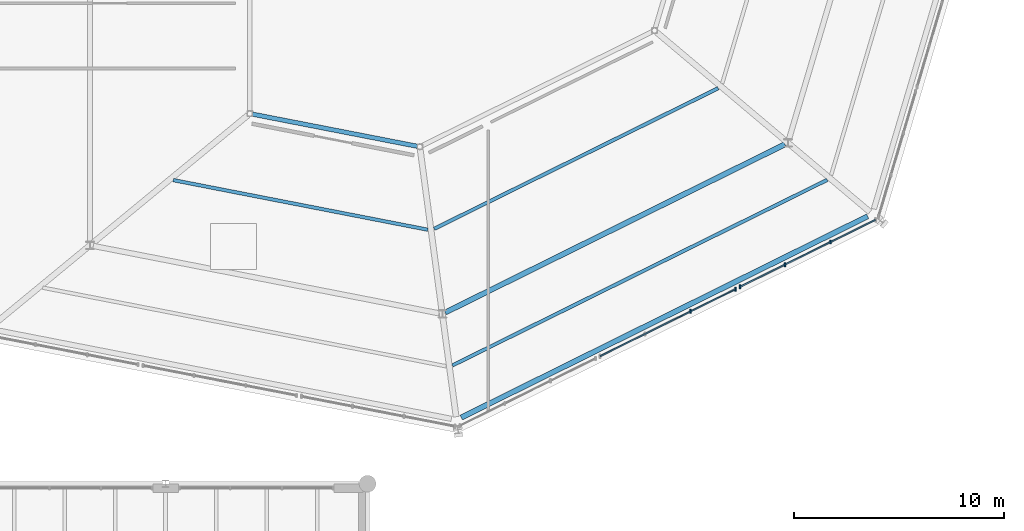
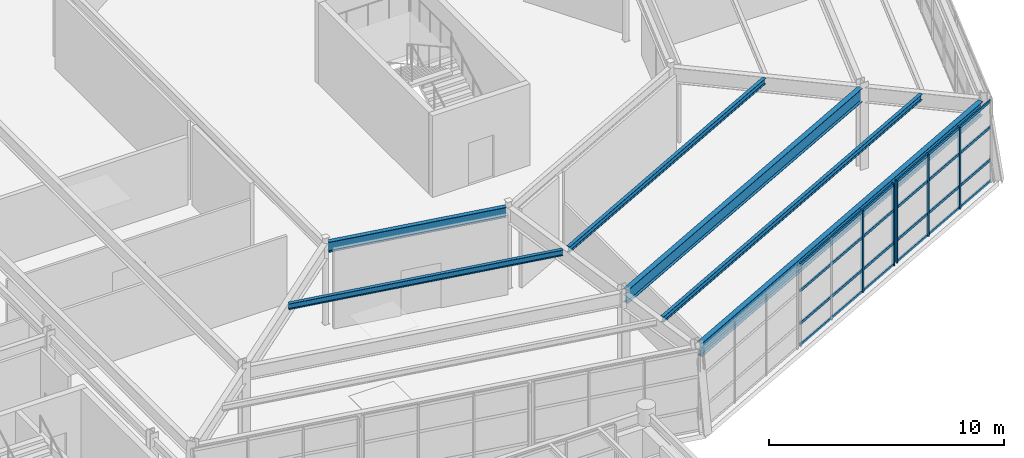
# One storey, part 44 of 88: 13 members, 6 beams, 2 elements without a shape of their own.
"""IFC4 building model written with IfcOpenShell, lengths in metres."""

from ifc_helpers import new_model, si_unit, direction, frame, origin, origin_2d, place, context, subcontext, project, spatial, rectangle, i_section, extrude, material, material_profile, profile_set, type_object, element, aggregate, save


model = new_model("IFC4")

# Units and contexts
model_context = context("Model", 3, precision=1e-05, world=origin(), true_north=direction((0.0, 1.0)))
body_context = subcontext(model_context, "Body", "Model", "MODEL_VIEW")
ifc_project = project(units=[si_unit("LENGTHUNIT", "METRE"), si_unit("AREAUNIT", "SQUARE_METRE"), si_unit("VOLUMEUNIT", "CUBIC_METRE"), si_unit("PLANEANGLEUNIT", "RADIAN"), si_unit("MASSUNIT", "GRAM", prefix="KILO")], contexts=[model_context])

# Site, building, storey
site_placement = place(None, origin())
site = spatial("IfcSite", under=ifc_project, at=site_placement, CompositionType="ELEMENT")
building_placement = place(site_placement, origin())
building = spatial("IfcBuilding", under=site, at=building_placement, Name="Sarnbrook Museum", CompositionType="ELEMENT")
storey_placement = place(building_placement, frame((0.0, 0.0, 10.10009765625)))
storey = spatial("IfcBuildingStorey", under=building, at=storey_placement, Name="L02", CompositionType="ELEMENT", Elevation=10.10009765625)

# Beams
ifc_material_1 = material(Name="Structural Steel Grade 300PLUS (AS/NZS 3679.1, fy = 280 MPa for 17 < t <= 40 mm, 300 MPa for t <= 17 mm)", Category="steel")
ifc_material_profile_1 = material_profile(ifc_material_1, i_section(OverallWidth=0.208984375, OverallDepth=0.532958984375, WebThickness=0.01025390625, FlangeThickness=0.015625, FilletRadius=0.013916015625, at=origin_2d()), Name="530UB92.4")
ifc_profile_set_1 = profile_set([ifc_material_profile_1], Name="Structural Steel Grade 300PLUS (AS/NZS 3679.1, fy = 280 MPa for 17 < t <= 40 mm, 300 MPa for t <= 17 mm)")
beam_type_1 = type_object("IfcBeamType", Name="BM-UB530", PredefinedType="BEAM", material=ifc_profile_set_1)
beam_1_placement = place(storey_placement, frame((132.917724609375, 74.382080078125, 3.973388671875), z_axis=(0.981531426605, -0.191300963369, 0.0), x_axis=(0.191300963369, 0.981531426605, 0.0)))
element("IfcBeam", 1, at=beam_1_placement, inside=storey, type_object=beam_type_1, Name="Crystal Hall R2 Ring Girder 1 L02", PredefinedType="BEAM", context=body_context, shape_type="SweptSolid", body=[
    extrude(i_section(OverallWidth=0.208984375, OverallDepth=0.532958984375, WebThickness=0.01025390625, FlangeThickness=0.015625, FilletRadius=0.013916015625, at=origin_2d()), origin(), (0.0, 0.0, 1.0), 7.999267578125),
])
ifc_material_2 = material(Name="Structural Steel Grade 350L0 (AS/NZS 3678, fy = 340 MPa for 20 < t <= 40 mm)", Category="steel")
ifc_material_profile_2 = material_profile(ifc_material_2, i_section(OverallWidth=0.25, OverallDepth=0.699951171875, WebThickness=0.010009765625, FlangeThickness=0.01611328125, at=origin_2d()), Name="700WB130")
ifc_profile_set_2 = profile_set([ifc_material_profile_2], Name="Structural Steel Grade 350L0 (AS/NZS 3678, fy = 340 MPa for 20 < t <= 40 mm)")
beam_type_2 = type_object("IfcBeamType", Name="BM-WB700", PredefinedType="BEAM", material=ifc_profile_set_2)
beam_2_placement = place(storey_placement, frame((142.857421875, 59.95068359375, 3.889892578125), z_axis=(0.896161236862, 0.443728562914, 0.0), x_axis=(-0.443728562914, 0.896161236862, 0.0)))
element("IfcBeam", 2, at=beam_2_placement, inside=storey, type_object=beam_type_2, Name="Crystal Hall Perimeter Ring Girder 2 L02", PredefinedType="BEAM", context=body_context, shape_type="SweptSolid", body=[
    extrude(i_section(OverallWidth=0.25, OverallDepth=0.699951171875, WebThickness=0.010009765625, FlangeThickness=0.01611328125, at=origin_2d()), origin(), (0.0, 0.0, 1.0), 21.569580078125),
])
beam_3_placement = place(storey_placement, frame((142.099609375, 64.948486328125, 3.889892578125), z_axis=(0.8961652972, 0.443720362497, 0.0), x_axis=(-0.443720362497, 0.8961652972, 0.0)))
element("IfcBeam", 3, at=beam_3_placement, inside=storey, type_object=beam_type_2, Name="Crystal Hall R1 Ring Girder 2 L02", PredefinedType="BEAM", context=body_context, shape_type="SweptSolid", body=[
    extrude(i_section(OverallWidth=0.25, OverallDepth=0.699951171875, WebThickness=0.010009765625, FlangeThickness=0.01611328125, at=origin_2d()), origin(), (0.0, 0.0, 1.0), 18.021240234375),
])

# Curtain wall, members
ifc_material_3 = material(Name="Thermally Broken Anodised Aluminium 6063-T6", Category="aluminium")
curtain_wall_type = type_object("IfcCurtainWallType", Name="CurtainWall_CrystalFacet", PredefinedType="NOTDEFINED", material=ifc_material_3)
curtain_wall_1_placement = place(storey_placement, origin())
curtain_wall_1 = element("IfcCurtainWall", 4, at=curtain_wall_1_placement, inside=storey, type_object=curtain_wall_type, Name="Crystal Hall Facet Curtain Wall L02-F2.2", PredefinedType="NOTDEFINED")
ifc_material_profile_3 = material_profile(ifc_material_3, rectangle(XDim=0.06494140625, YDim=0.179931640625, at=origin_2d()), Name="ALU MULLION 65x180")
ifc_profile_set_3 = profile_set([ifc_material_profile_3], Name="Thermally Broken Anodised Aluminium 6063-T6")
member_type_1 = type_object("IfcMemberType", Name="CW_Mullion_180x75", PredefinedType="MULLION", material=ifc_profile_set_3)
member_1_placement = place(storey_placement, frame((153.761962890625, 65.000244140625, 0.0), z_axis=(0.0, 0.0, 1.0), x_axis=(1.0, 0.0, 0.0)))
member_1 = element("IfcMember", 5, at=member_1_placement, type_object=member_type_1, Name="Crystal Hall Facet Curtain Wall L02-F2.2 Mullion 3", PredefinedType="MULLION", context=body_context, shape_type="SweptSolid", body=[
    extrude(rectangle(XDim=0.06494140625, YDim=0.179931640625, at=origin_2d()), origin(), (0.0, 0.0, 1.0), 4.239990234375),
])
member_2_placement = place(storey_placement, frame((155.900146484375, 66.05908203125, 0.0), z_axis=(0.0, 0.0, 1.0), x_axis=(1.0, 0.0, 0.0)))
member_2 = element("IfcMember", 6, at=member_2_placement, type_object=member_type_1, Name="Crystal Hall Facet Curtain Wall L02-F2.2 Mullion 4", PredefinedType="MULLION", context=body_context, shape_type="SweptSolid", body=[
    extrude(rectangle(XDim=0.06494140625, YDim=0.179931640625, at=origin_2d()), origin(), (0.0, 0.0, 1.0), 4.239990234375),
])

curtain_wall_2_placement = place(storey_placement, origin())
curtain_wall_2 = element("IfcCurtainWall", 7, at=curtain_wall_2_placement, inside=storey, type_object=curtain_wall_type, Name="Crystal Hall Facet Curtain Wall L02-F2.3", PredefinedType="NOTDEFINED")
member_3_placement = place(storey_placement, frame((156.114990234375, 66.165283203125, 0.0), z_axis=(0.0, 0.0, 1.0), x_axis=(1.0, 0.0, 0.0)))
member_3 = element("IfcMember", 8, at=member_3_placement, type_object=member_type_1, Name="Crystal Hall Facet Curtain Wall L02-F2.3 Mullion 1", PredefinedType="MULLION", context=body_context, shape_type="SweptSolid", body=[
    extrude(rectangle(XDim=0.06494140625, YDim=0.179931640625, at=origin_2d()), origin(), (0.0, 0.0, 1.0), 4.239990234375),
])
member_4_placement = place(storey_placement, frame((158.253173828125, 67.22412109375, 0.0), z_axis=(0.0, 0.0, 1.0), x_axis=(1.0, 0.0, 0.0)))
member_4 = element("IfcMember", 9, at=member_4_placement, type_object=member_type_1, Name="Crystal Hall Facet Curtain Wall L02-F2.3 Mullion 2", PredefinedType="MULLION", context=body_context, shape_type="SweptSolid", body=[
    extrude(rectangle(XDim=0.06494140625, YDim=0.179931640625, at=origin_2d()), origin(), (0.0, 0.0, 1.0), 4.239990234375),
])
member_5_placement = place(storey_placement, frame((160.427001953125, 68.300537109375, 0.0), z_axis=(0.0, 0.0, 1.0), x_axis=(1.0, 0.0, 0.0)))
member_5 = element("IfcMember", 10, at=member_5_placement, type_object=member_type_1, Name="Crystal Hall Facet Curtain Wall L02-F2.3 Mullion 3", PredefinedType="MULLION", context=body_context, shape_type="SweptSolid", body=[
    extrude(rectangle(XDim=0.06494140625, YDim=0.179931640625, at=origin_2d()), origin(), (0.0, 0.0, 1.0), 4.239990234375),
])

# Member
ifc_material_profile_4 = material_profile(ifc_material_3, rectangle(XDim=0.06494140625, YDim=0.139892578125, at=origin_2d()), Name="ALU TRANSOM 65x140")
ifc_profile_set_4 = profile_set([ifc_material_profile_4], Name="Thermally Broken Anodised Aluminium 6063-T6")
member_type_2 = type_object("IfcMemberType", Name="CW_Transom_150x65", PredefinedType="USERDEFINED", material=ifc_profile_set_4)
member_6_placement = place(storey_placement, frame((149.458984375, 62.86962890625, 0.039794921875), z_axis=(0.896161982232, 0.44372705755, 0.0), x_axis=(-0.44372705755, 0.896161982232, 0.0)))
member_6 = element("IfcMember", 11, at=member_6_placement, type_object=member_type_2, Name="Crystal Hall Facet Curtain Wall L02-F2.2 Transom 1", ObjectType="TRANSOM", PredefinedType="USERDEFINED", context=body_context, shape_type="SweptSolid", body=[
    extrude(rectangle(XDim=0.06494140625, YDim=0.139892578125, at=origin_2d()), origin(), (0.0, 0.0, 1.0), 7.177490234375),
])

member_7_placement = place(storey_placement, frame((149.458984375, 62.86962890625, 1.14990234375), z_axis=(0.896161982232, 0.44372705755, 0.0), x_axis=(-0.44372705755, 0.896161982232, 0.0)))
member_7 = element("IfcMember", 12, at=member_7_placement, type_object=member_type_2, Name="Crystal Hall Facet Curtain Wall L02-F2.2 Transom 2", ObjectType="TRANSOM", PredefinedType="USERDEFINED", context=body_context, shape_type="SweptSolid", body=[
    extrude(rectangle(XDim=0.06494140625, YDim=0.139892578125, at=origin_2d()), origin(), (0.0, 0.0, 1.0), 7.177490234375),
])

member_8_placement = place(storey_placement, frame((149.458984375, 62.86962890625, 2.849853515625), z_axis=(0.896161982232, 0.44372705755, 0.0), x_axis=(-0.44372705755, 0.896161982232, 0.0)))
member_8 = element("IfcMember", 13, at=member_8_placement, type_object=member_type_2, Name="Crystal Hall Facet Curtain Wall L02-F2.2 Transom 3", ObjectType="TRANSOM", PredefinedType="USERDEFINED", context=body_context, shape_type="SweptSolid", body=[
    extrude(rectangle(XDim=0.06494140625, YDim=0.139892578125, at=origin_2d()), origin(), (0.0, 0.0, 1.0), 7.177490234375),
])

member_9_placement = place(storey_placement, frame((149.458984375, 62.86962890625, 4.199951171875), z_axis=(0.896161982232, 0.44372705755, 0.0), x_axis=(-0.44372705755, 0.896161982232, 0.0)))
member_9 = element("IfcMember", 14, at=member_9_placement, type_object=member_type_2, Name="Crystal Hall Facet Curtain Wall L02-F2.2 Transom 4", ObjectType="TRANSOM", PredefinedType="USERDEFINED", context=body_context, shape_type="SweptSolid", body=[
    extrude(rectangle(XDim=0.06494140625, YDim=0.139892578125, at=origin_2d()), origin(), (0.0, 0.0, 1.0), 7.177490234375),
])

aggregate(curtain_wall_1, [member_1, member_2, member_6, member_7, member_8, member_9])

member_10_placement = place(storey_placement, frame((156.1240234375, 66.169921875, 0.039794921875), z_axis=(0.896161982232, 0.44372705755, 0.0), x_axis=(-0.44372705755, 0.896161982232, 0.0)))
member_10 = element("IfcMember", 15, at=member_10_placement, type_object=member_type_2, Name="Crystal Hall Facet Curtain Wall L02-F2.3 Transom 1", ObjectType="TRANSOM", PredefinedType="USERDEFINED", context=body_context, shape_type="SweptSolid", body=[
    extrude(rectangle(XDim=0.06494140625, YDim=0.139892578125, at=origin_2d()), origin(), (0.0, 0.0, 1.0), 7.177490234375),
])

member_11_placement = place(storey_placement, frame((156.1240234375, 66.169921875, 1.14990234375), z_axis=(0.896161982232, 0.44372705755, 0.0), x_axis=(-0.44372705755, 0.896161982232, 0.0)))
member_11 = element("IfcMember", 16, at=member_11_placement, type_object=member_type_2, Name="Crystal Hall Facet Curtain Wall L02-F2.3 Transom 2", ObjectType="TRANSOM", PredefinedType="USERDEFINED", context=body_context, shape_type="SweptSolid", body=[
    extrude(rectangle(XDim=0.06494140625, YDim=0.139892578125, at=origin_2d()), origin(), (0.0, 0.0, 1.0), 7.177490234375),
])

member_12_placement = place(storey_placement, frame((156.1240234375, 66.169921875, 2.849853515625), z_axis=(0.896161982232, 0.44372705755, 0.0), x_axis=(-0.44372705755, 0.896161982232, 0.0)))
member_12 = element("IfcMember", 17, at=member_12_placement, type_object=member_type_2, Name="Crystal Hall Facet Curtain Wall L02-F2.3 Transom 3", ObjectType="TRANSOM", PredefinedType="USERDEFINED", context=body_context, shape_type="SweptSolid", body=[
    extrude(rectangle(XDim=0.06494140625, YDim=0.139892578125, at=origin_2d()), origin(), (0.0, 0.0, 1.0), 7.177490234375),
])

member_13_placement = place(storey_placement, frame((156.1240234375, 66.169921875, 4.199951171875), z_axis=(0.896161982232, 0.44372705755, 0.0), x_axis=(-0.44372705755, 0.896161982232, 0.0)))
member_13 = element("IfcMember", 18, at=member_13_placement, type_object=member_type_2, Name="Crystal Hall Facet Curtain Wall L02-F2.3 Transom 4", ObjectType="TRANSOM", PredefinedType="USERDEFINED", context=body_context, shape_type="SweptSolid", body=[
    extrude(rectangle(XDim=0.06494140625, YDim=0.139892578125, at=origin_2d()), origin(), (0.0, 0.0, 1.0), 7.177490234375),
])

aggregate(curtain_wall_2, [member_3, member_4, member_5, member_10, member_11, member_12, member_13])

# Beams
ifc_material_profile_5 = material_profile(ifc_material_1, i_section(OverallWidth=0.1650390625, OverallDepth=0.303955078125, WebThickness=0.006103515625, FlangeThickness=0.01025390625, FilletRadius=0.011474609375, at=origin_2d()), Name="310UB40.4")
ifc_profile_set_5 = profile_set([ifc_material_profile_5], Name="Structural Steel Grade 300PLUS (AS/NZS 3679.1, fy = 280 MPa for 17 < t <= 40 mm, 300 MPa for t <= 17 mm)")
beam_type_3 = type_object("IfcBeamType", Name="JS-UB310", PredefinedType="JOIST", material=ifc_profile_set_5)
beam_4_placement = place(storey_placement, frame((129.156982421875, 71.24365234375, 4.087890625), z_axis=(0.981530313101, -0.191306676475, 0.0), x_axis=(0.191306676475, 0.981530313101, 0.0)))
element("IfcBeam", 19, at=beam_4_placement, inside=storey, type_object=beam_type_3, Name="Crystal Hall Tangential Joist MI-1 L02", PredefinedType="JOIST", context=body_context, shape_type="SweptSolid", body=[
    extrude(i_section(OverallWidth=0.1650390625, OverallDepth=0.303955078125, WebThickness=0.006103515625, FlangeThickness=0.01025390625, FilletRadius=0.011474609375, at=origin_2d()), origin(), (0.0, 0.0, 1.0), 12.33544921875),
])
beam_5_placement = place(storey_placement, frame((142.43798828125, 62.429443359375, 4.087890625), z_axis=(0.89615646133, 0.443738207525, 0.0), x_axis=(-0.443738207525, 0.89615646133, 0.0)))
element("IfcBeam", 20, at=beam_5_placement, inside=storey, type_object=beam_type_3, Name="Crystal Hall Tangential Joist MO-2 L02", PredefinedType="JOIST", context=body_context, shape_type="SweptSolid", body=[
    extrude(i_section(OverallWidth=0.1650390625, OverallDepth=0.303955078125, WebThickness=0.006103515625, FlangeThickness=0.01025390625, FilletRadius=0.011474609375, at=origin_2d()), origin(), (0.0, 0.0, 1.0), 19.885498046875),
])
beam_6_placement = place(storey_placement, frame((141.56494140625, 68.924072265625, 4.087890625), z_axis=(0.89616253794, 0.443725935227, 0.0), x_axis=(-0.443725935227, 0.89616253794, 0.0)))
element("IfcBeam", 21, at=beam_6_placement, inside=storey, type_object=beam_type_3, Name="Crystal Hall Tangential Joist MI-2 L02", PredefinedType="JOIST", context=body_context, shape_type="SweptSolid", body=[
    extrude(i_section(OverallWidth=0.1650390625, OverallDepth=0.303955078125, WebThickness=0.006103515625, FlangeThickness=0.01025390625, FilletRadius=0.011474609375, at=origin_2d()), origin(), (0.0, 0.0, 1.0), 15.078857421875),
])

save(model, "model.ifc")
